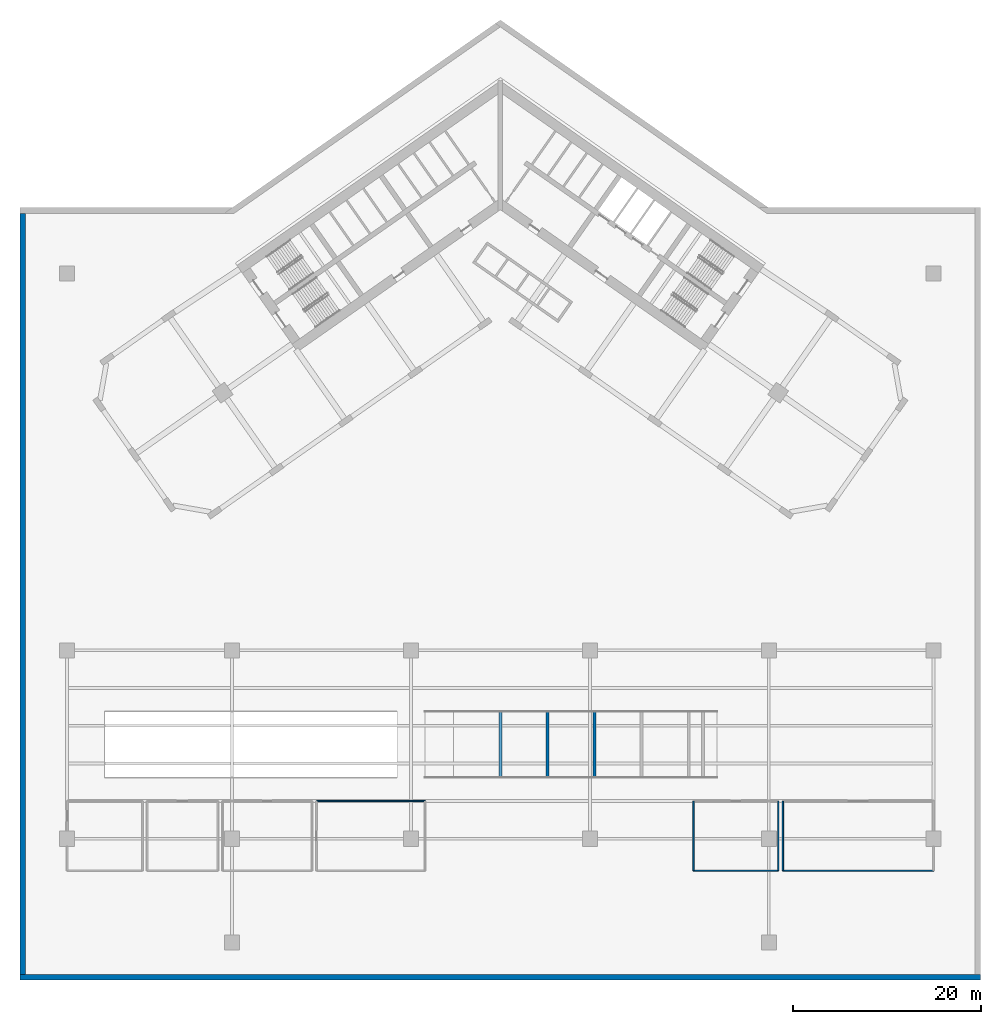
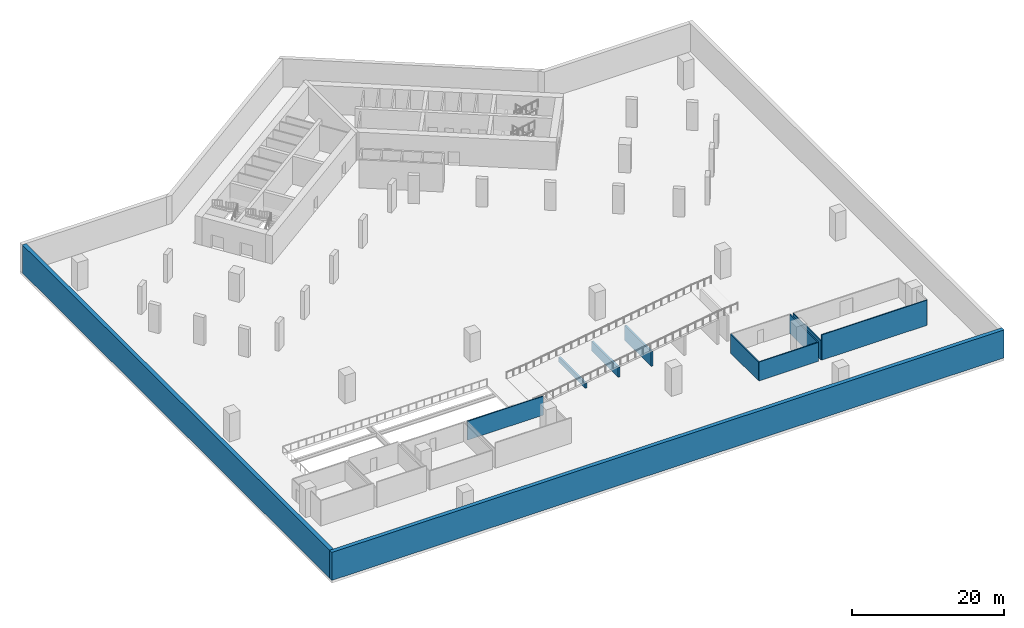
# One storey, part 4 of 11: 11 walls.
"""IFC4 building model written with IfcOpenShell, lengths in metres."""

from ifc_helpers import new_model, si_unit, direction, frame, frame_2d, origin, place, context, subcontext, project, spatial, polyline, rectangle, outline, extrude, material, layer, layer_set, type_object, element, save


model = new_model("IFC4")

# Units and contexts
model_context = context("Model", 3, precision=1e-05, world=origin(), true_north=direction((0.0, 1.0)))
body_context = subcontext(model_context, "Body", "Model", "MODEL_VIEW")
ifc_project = project(units=[si_unit("LENGTHUNIT", "METRE"), si_unit("AREAUNIT", "SQUARE_METRE"), si_unit("VOLUMEUNIT", "CUBIC_METRE"), si_unit("PLANEANGLEUNIT", "RADIAN"), si_unit("MASSUNIT", "GRAM", prefix="KILO")], contexts=[model_context])

# Site, building, storey
site_placement = place(None, origin())
site = spatial("IfcSite", under=ifc_project, at=site_placement, CompositionType="ELEMENT")
building_placement = place(site_placement, origin())
building = spatial("IfcBuilding", under=site, at=building_placement, Name="Tel Ilan Convention Tower", CompositionType="ELEMENT")
storey_placement = place(building_placement, frame((0.0, 0.0, -4.5)))
storey = spatial("IfcBuildingStorey", under=building, at=storey_placement, Name="B1", CompositionType="ELEMENT", Elevation=-4.5)

# Walls
ifc_material_1 = material(Name="Concrete C40/50", Category="concrete")
ifc_layer_1 = layer(ifc_material_1, 0.60009765625)
ifc_layer_set_1 = layer_set([ifc_layer_1], Name="Basement Retaining Wall 600 mm C40/50")
wall_type_1 = type_object("IfcWallType", Name="Basement Retaining Wall 600 mm C40/50", PredefinedType="SOLIDWALL", material=ifc_layer_set_1)
wall_1_placement = place(storey_placement, frame((-51.0, -82.699951171875, 0.0), z_axis=(0.0, 0.0, 1.0), x_axis=(1.0, 0.0, 0.0)))
element("IfcWall", 1, at=wall_1_placement, inside=storey, type_object=wall_type_1, Name="B1 retaining wall 1", PredefinedType="SOLIDWALL", context=body_context, shape_type="SweptSolid", body=[
    extrude(outline(polyline([(0.0, -0.300048828125), (0.0, 0.300048828125), (0.60009765625, 0.300048828125), (101.39990234375, 0.300048828125), (102.0, 0.300048828125), (102.0, -0.300048828125), (0.0, -0.300048828125)])), origin(), (0.0, 0.0, 1.0), 4.5),
])
wall_2_placement = place(storey_placement, frame((-50.699951171875, -1.0, 0.0), z_axis=(0.0, 0.0, 1.0), x_axis=(0.0, -1.0, 0.0)))
element("IfcWall", 2, at=wall_2_placement, inside=storey, type_object=wall_type_1, Name="B1 retaining wall 7", PredefinedType="SOLIDWALL", context=body_context, shape_type="SweptSolid", body=[
    extrude(outline(polyline([(81.39990234375, 0.300048828125), (81.39990234375, -0.300048828125), (0.60009765625, -0.300048828125), (0.60009765625, 0.300048828125), (81.39990234375, 0.300048828125)])), origin(), (0.0, 0.0, 1.0), 4.5),
])
ifc_material_2 = material(Name="Plasterboard on Steel Studs", Category="steel")
ifc_layer_2 = layer(ifc_material_2, 0.14990234375)
ifc_layer_set_2 = layer_set([ifc_layer_2], Name="Fire-rated Partition 150 EI 60")
wall_type_2 = type_object("IfcWallType", Name="Fire-rated Partition 150 EI 60", PredefinedType="PARTITIONING", material=ifc_layer_set_2)
wall_3_placement = place(storey_placement, frame((29.9990234375, -64.0, 0.0), z_axis=(0.0, 0.0, 1.0), x_axis=(0.0, -1.0, 0.0)))
element("IfcWall", 3, at=wall_3_placement, inside=storey, type_object=wall_type_2, Name="Partition 002", PredefinedType="PARTITIONING", context=body_context, shape_type="SweptSolid", body=[
    extrude(rectangle(XDim=7.39990234375, YDim=0.14990234375, at=frame_2d((3.699951171875, 0.0))), origin(), (0.0, 0.0, 1.0), 3.030029296875),
])
wall_4_placement = place(storey_placement, frame((30.0, -71.40087890625, 0.0), z_axis=(0.0, 0.0, 1.0), x_axis=(1.0, 0.0, 0.0)))
element("IfcWall", 4, at=wall_4_placement, inside=storey, type_object=wall_type_2, Name="Partition 003", PredefinedType="PARTITIONING", context=body_context, shape_type="SweptSolid", body=[
    extrude(rectangle(XDim=16.0, YDim=0.14990234375, at=frame_2d((8.0, 0.0))), origin(), (0.0, 0.0, 1.0), 4.050048828125),
])
wall_5_placement = place(storey_placement, frame((20.4990234375, -64.0, 0.0), z_axis=(0.0, 0.0, 1.0), x_axis=(0.0, -1.0, 0.0)))
element("IfcWall", 5, at=wall_5_placement, inside=storey, type_object=wall_type_2, Name="Partition 007", PredefinedType="PARTITIONING", context=body_context, shape_type="SweptSolid", body=[
    extrude(rectangle(XDim=7.39990234375, YDim=0.14990234375, at=frame_2d((3.699951171875, 0.0))), origin(), (0.0, 0.0, 1.0), 3.030029296875),
])
wall_6_placement = place(storey_placement, frame((20.5, -71.40087890625, 0.0), z_axis=(0.0, 0.0, 1.0), x_axis=(1.0, 0.0, 0.0)))
element("IfcWall", 6, at=wall_6_placement, inside=storey, type_object=wall_type_2, Name="Partition 008", PredefinedType="PARTITIONING", context=body_context, shape_type="SweptSolid", body=[
    extrude(rectangle(XDim=9.0, YDim=0.14990234375, at=frame_2d((4.5, 0.0))), origin(), (0.0, 0.0, 1.0), 3.030029296875),
])
wall_7_placement = place(storey_placement, frame((29.5009765625, -71.39990234375, 0.0), z_axis=(0.0, 0.0, 1.0), x_axis=(0.0, 1.0, 0.0)))
element("IfcWall", 7, at=wall_7_placement, inside=storey, type_object=wall_type_2, Name="Partition 009", PredefinedType="PARTITIONING", context=body_context, shape_type="SweptSolid", body=[
    extrude(rectangle(XDim=7.39990234375, YDim=0.14990234375, at=frame_2d((3.699951171875, 0.0))), origin(), (0.0, 0.0, 1.0), 3.030029296875),
])
wall_8_placement = place(storey_placement, frame((-8.0, -63.9990234375, 0.0), z_axis=(0.0, 0.0, 1.0), x_axis=(-1.0, 0.0, 0.0)))
element("IfcWall", 8, at=wall_8_placement, inside=storey, type_object=wall_type_2, Name="Partition 026", PredefinedType="PARTITIONING", context=body_context, shape_type="SweptSolid", body=[
    extrude(rectangle(XDim=11.5, YDim=0.14990234375, at=frame_2d((5.75, 0.0))), origin(), (0.0, 0.0, 1.0), 3.030029296875),
])
ifc_material_3 = material(Name="Concrete C40/50", Category="concrete")
ifc_layer_3 = layer(ifc_material_3, 0.300048828125)
ifc_layer_set_3 = layer_set([ifc_layer_3], Name="Ramp Cross Wall 300 mm Concrete C40/50")
wall_type_3 = type_object("IfcWallType", Name="Ramp Cross Wall 300 mm Concrete C40/50", PredefinedType="SOLIDWALL", material=ifc_layer_set_3)
wall_9_placement = place(storey_placement, frame((0.0, -61.5, 0.0), z_axis=(0.0, 0.0, 1.0), x_axis=(0.0, 1.0, 0.0)))
element("IfcWall", 9, at=wall_9_placement, inside=storey, type_object=wall_type_3, Name="Car Park Ramp B1-L00 cross wall 1", PredefinedType="SOLIDWALL", context=body_context, shape_type="SweptSolid", body=[
    extrude(rectangle(XDim=7.0, YDim=0.300048828125, at=frame_2d((3.5, 0.0))), origin(), (0.0, 0.0, 1.0), 0.764404296875),
])
wall_10_placement = place(storey_placement, frame((5.0, -61.5, 0.0), z_axis=(0.0, 0.0, 1.0), x_axis=(0.0, 1.0, 0.0)))
element("IfcWall", 10, at=wall_10_placement, inside=storey, type_object=wall_type_3, Name="Car Park Ramp B1-L00 cross wall 2", PredefinedType="SOLIDWALL", context=body_context, shape_type="SweptSolid", body=[
    extrude(rectangle(XDim=7.0, YDim=0.300048828125, at=frame_2d((3.5, 0.0))), origin(), (0.0, 0.0, 1.0), 1.552490234375),
])
wall_11_placement = place(storey_placement, frame((10.0, -61.5, 0.0), z_axis=(0.0, 0.0, 1.0), x_axis=(0.0, 1.0, 0.0)))
element("IfcWall", 11, at=wall_11_placement, inside=storey, type_object=wall_type_3, Name="Car Park Ramp B1-L00 cross wall 3", PredefinedType="SOLIDWALL", context=body_context, shape_type="SweptSolid", body=[
    extrude(rectangle(XDim=7.0, YDim=0.300048828125, at=frame_2d((3.5, 0.0))), origin(), (0.0, 0.0, 1.0), 2.34033203125),
])

save(model, "model.ifc")
